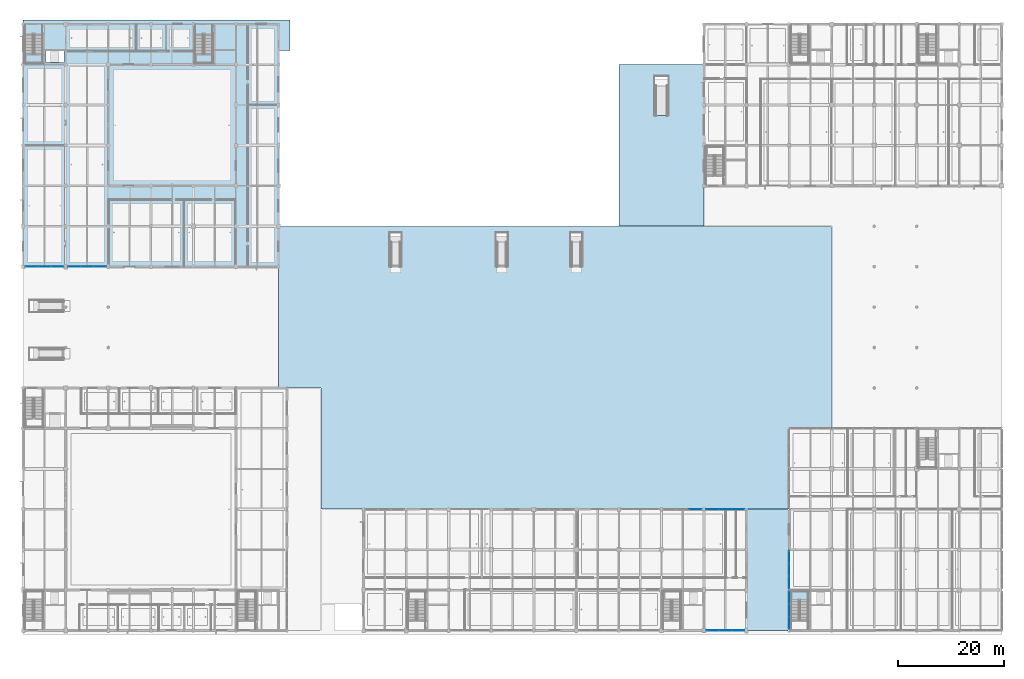
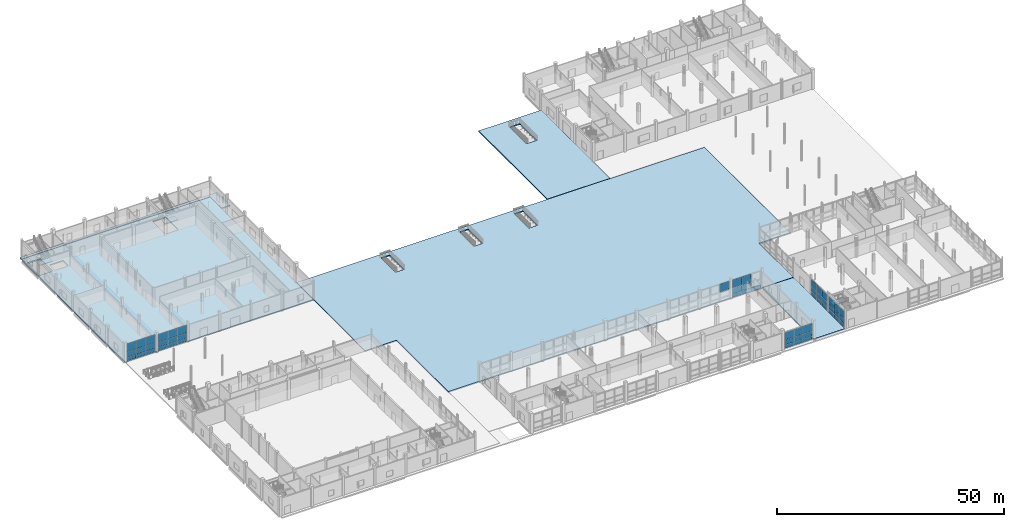
# One storey, part 51 of 126: 53 plates, 8 slabs, 10 elements without a shape of their own.
"""IFC4 building model written with IfcOpenShell, lengths in metres."""

import ifcopenshell
import ifcopenshell.guid

model = None  # the IFC model being written
_history = None  # IfcOwnerHistory: only IFC2X3 demands one
_inside = {}  # id of a spatial element -> (the spatial element, [elements in it])
_under = {}  # id of a project, library or spatial element -> (it, [spatial elements below it])
_declared = {}  # id of a project -> (the project, [libraries it declares])
_typed = {}  # id of a type object -> (the type object, [elements of that type])
_made_of = {}  # id of a material, layer set ... -> (it, [elements and type objects made of it])


def new_model(schema):
    """Start an empty IFC model of exactly this schema.

    Asked for "IFC4X3", IfcOpenShell would pick the latest addendum, in which some entities
    have other attributes; the version numbers below select the first issue.
    IFC2X3 requires an IfcOwnerHistory on every rooted entity: one is made here for all.
    """
    global model, _history
    if schema == "IFC4X3":
        model = ifcopenshell.file(schema_version=(4, 3, 0, 0))
    else:
        model = ifcopenshell.file(schema=schema)
    _inside.clear()
    _under.clear()
    _declared.clear()
    _typed.clear()
    _made_of.clear()
    _history = None
    if model.schema == "IFC2X3":
        org = make("IfcOrganization", Name="unknown")
        user = make(
            "IfcPersonAndOrganization",
            ThePerson=make("IfcPerson", FamilyName="unknown"),
            TheOrganization=org,
        )
        app = make(
            "IfcApplication",
            ApplicationDeveloper=org,
            Version="unknown",
            ApplicationFullName="unknown",
            ApplicationIdentifier="unknown",
        )
        _history = make(
            "IfcOwnerHistory",
            OwningUser=user,
            OwningApplication=app,
            ChangeAction="ADDED",
            CreationDate=0,
        )
    return model


def make(cls, **values):
    """One entity of the class cls with the attributes given. An attribute that is None is left unset."""
    return model.create_entity(
        cls, **{name: value for name, value in values.items() if value is not None}
    )


def rooted(cls, **values):
    """An entity with a GlobalId (a new one), such as an element, a storey or a relation."""
    return make(cls, GlobalId=ifcopenshell.guid.new(), OwnerHistory=_history, **values)


def si_unit(unit_type, name, prefix=None):
    """IfcSIUnit, for example si_unit("LENGTHUNIT", "METRE", prefix="MILLI")."""
    return make("IfcSIUnit", UnitType=unit_type, Prefix=prefix, Name=name)


def assignment(units):
    """IfcUnitAssignment: the units of a project."""
    return None if units is None else make("IfcUnitAssignment", Units=units)


def point(xyz):
    """IfcCartesianPoint."""
    return None if xyz is None else make("IfcCartesianPoint", Coordinates=xyz)


def direction(xyz):
    """IfcDirection."""
    return None if xyz is None else make("IfcDirection", DirectionRatios=xyz)


def frame(location, z_axis=None, x_axis=None):
    """IfcAxis2Placement3D, a coordinate frame: its origin and axes. An axis left out is left unset."""
    return make(
        "IfcAxis2Placement3D",
        Location=point(location),
        Axis=direction(z_axis),
        RefDirection=direction(x_axis),
    )


def frame_2d(location, x_axis=None):
    """IfcAxis2Placement2D, a coordinate frame in the plane: its origin and x axis."""
    return make(
        "IfcAxis2Placement2D", Location=point(location), RefDirection=direction(x_axis)
    )


def origin():
    """The frame at (0, 0, 0) with its axes left unset."""
    return frame((0.0, 0.0, 0.0))


def origin_2d():
    """The frame at (0, 0) in the plane with its x axis left unset."""
    return frame_2d((0.0, 0.0))


def place(relative_to, where):
    """IfcLocalPlacement: puts the frame where relative to a parent placement (None: the world)."""
    return make(
        "IfcLocalPlacement", PlacementRelTo=relative_to, RelativePlacement=where
    )


def context(
    kind, dimensions, precision=None, world=None, true_north=None, identifier=None
):
    """IfcGeometricRepresentationContext, for example the 3D "Model" context."""
    return make(
        "IfcGeometricRepresentationContext",
        ContextIdentifier=identifier,
        ContextType=kind,
        CoordinateSpaceDimension=dimensions,
        Precision=precision,
        WorldCoordinateSystem=world,
        TrueNorth=true_north,
    )


def subcontext(parent, identifier, kind, view, scale=None):
    """IfcGeometricRepresentationSubContext, for example "Body" below "Model"."""
    return make(
        "IfcGeometricRepresentationSubContext",
        ContextIdentifier=identifier,
        ContextType=kind,
        ParentContext=parent,
        TargetScale=scale,
        TargetView=view,
    )


def project(units=None, contexts=None):
    """IfcProject with its units and contexts."""
    return rooted(
        "IfcProject",
        Name="project",
        RepresentationContexts=contexts,
        UnitsInContext=assignment(units),
    )


def spatial(cls, under=None, at=None, **own):
    """A site, building, storey or space (cls), placed at a placement, below another one or the project."""
    s = rooted(cls, ObjectPlacement=at, **own)
    if under is not None:
        _under.setdefault(under.id(), (under, []))[1].append(s)
    return s


def polyline(points):
    """IfcPolyline through the points."""
    return make("IfcPolyline", Points=[point(p) for p in points])


def profile(cls, at=None, kind="AREA", **sizes):
    """A parametric profile (cls). Its sizes go by their IFC names, for example OverallWidth=200.0."""
    return make(cls, ProfileType=kind, Position=at, **sizes)


def rectangle(**sizes):
    """IfcRectangleProfileDef."""
    return profile("IfcRectangleProfileDef", **sizes)


def outline(outer, holes=None, kind="AREA"):
    """IfcArbitraryClosedProfileDef: a profile drawn as a closed curve; with holes, ...WithVoids."""
    if holes is None:
        return make("IfcArbitraryClosedProfileDef", ProfileType=kind, OuterCurve=outer)
    return make(
        "IfcArbitraryProfileDefWithVoids",
        ProfileType=kind,
        OuterCurve=outer,
        InnerCurves=holes,
    )


def extrude(swept, where, along, depth):
    """IfcExtrudedAreaSolid: the profile swept, set in the frame where, extruded along a direction by depth."""
    return make(
        "IfcExtrudedAreaSolid",
        SweptArea=swept,
        Position=where,
        ExtrudedDirection=direction(along),
        Depth=depth,
    )


def shape(context_of_items, identifier, shape_type, items):
    """IfcShapeRepresentation: the items that make up one representation, for example the "Body"."""
    return make(
        "IfcShapeRepresentation",
        ContextOfItems=context_of_items,
        RepresentationIdentifier=identifier,
        RepresentationType=shape_type,
        Items=items,
    )


def material(Name=None, Category=None):
    """IfcMaterial."""
    return make("IfcMaterial", Name=Name, Category=Category)


def layer(
    of_material, thickness, ventilated=None, Name=None, Category=None, Priority=None
):
    """IfcMaterialLayer: one layer of a wall or slab, of a material (None: an air gap)."""
    return make(
        "IfcMaterialLayer",
        Material=of_material,
        LayerThickness=thickness,
        IsVentilated=ventilated,
        Name=Name,
        Category=Category,
        Priority=Priority,
    )


def layer_set(layers, Name=None):
    """IfcMaterialLayerSet."""
    return make("IfcMaterialLayerSet", MaterialLayers=layers, LayerSetName=Name)


def made_of(thing, what):
    """Note that an element or type object is made of a material, layer set ...; save() writes the relation."""
    if what is not None:
        _made_of.setdefault(what.id(), (what, []))[1].append(thing)
    return thing


def type_object(cls, material=None, **own):
    """A type object (cls), such as IfcWallType, which elements share."""
    return made_of(rooted(cls, **own), material)


def element(
    cls,
    number,
    at=None,
    inside=None,
    cuts=None,
    type_object=None,
    material=None,
    context=None,
    identifier="Body",
    shape_type=None,
    held_by="IfcProductDefinitionShape",
    body=None,
    shapes=None,
    **own,
):
    """One element of the class cls, such as IfcWall. Its Tag is "e" and its number.

    at: its placement. inside: the storey or other place that contains it. cuts: it is an
    opening in that element (IfcRelVoidsElement). A single representation is given by context,
    identifier, shape_type and body (its items); several are given by shapes. held_by: the class
    of the entity that holds the representations. save() writes the other relations.
    """
    e = rooted(cls, Tag="e%d" % number, ObjectPlacement=at, **own)
    if body is not None:
        shapes = [shape(context, identifier, shape_type, body)]
    if shapes is not None:
        e.Representation = make(held_by, Representations=shapes)
    if inside is not None:
        _inside.setdefault(inside.id(), (inside, []))[1].append(e)
    if cuts is not None:
        rooted(
            "IfcRelVoidsElement", RelatingBuildingElement=cuts, RelatedOpeningElement=e
        )
    if type_object is not None:
        _typed.setdefault(type_object.id(), (type_object, []))[1].append(e)
    return made_of(e, material)


def aggregate(whole, parts):
    """IfcRelAggregates: a whole, such as a stair, and the parts it consists of."""
    return rooted("IfcRelAggregates", RelatingObject=whole, RelatedObjects=parts)


def save(model, path):
    """Write the relations noted so far, then the file.

    IfcRelAggregates (storeys below a building ...), IfcRelContainedInSpatialStructure (elements
    in a storey), IfcRelDefinesByType, IfcRelAssociatesMaterial and IfcRelDeclares: one each for
    every whole, place, type object, material and project.
    """
    for whole, parts in _under.values():
        aggregate(whole, parts)
    for where, things in _inside.values():
        rooted(
            "IfcRelContainedInSpatialStructure",
            RelatedElements=things,
            RelatingStructure=where,
        )
    for kind, things in _typed.values():
        rooted("IfcRelDefinesByType", RelatedObjects=things, RelatingType=kind)
    for what, things in _made_of.values():
        rooted("IfcRelAssociatesMaterial", RelatedObjects=things, RelatingMaterial=what)
    for by, libraries in _declared.values():
        rooted("IfcRelDeclares", RelatingContext=by, RelatedDefinitions=libraries)
    model.write(path)


model = new_model("IFC4")

# Units and contexts
model_context = context("Model", 3, precision=1e-05, world=origin(), true_north=direction((0.0, 1.0)))
body_context = subcontext(model_context, "Body", "Model", "MODEL_VIEW")
ifc_project = project(units=[si_unit("LENGTHUNIT", "METRE"), si_unit("AREAUNIT", "SQUARE_METRE"), si_unit("VOLUMEUNIT", "CUBIC_METRE"), si_unit("PLANEANGLEUNIT", "RADIAN"), si_unit("MASSUNIT", "GRAM", prefix="KILO")], contexts=[model_context])

# Site, building, storey
site_placement = place(None, origin())
site = spatial("IfcSite", under=ifc_project, at=site_placement, CompositionType="ELEMENT")
building_placement = place(site_placement, origin())
building = spatial("IfcBuilding", under=site, at=building_placement, Name="Khelvaren Railside Concert Hall", CompositionType="ELEMENT")
storey_placement = place(building_placement, origin())
storey = spatial("IfcBuildingStorey", under=building, at=storey_placement, Name="L00", CompositionType="ELEMENT", Elevation=0.0)

# Curtain wall, plates
ifc_material_1 = material(Name="Triple-glazed solar-control glass", Category="glass")
curtain_wall_type_1 = type_object("IfcCurtainWallType", Name="CW80", PredefinedType="USERDEFINED", material=ifc_material_1)
curtain_wall_1_placement = place(storey_placement, origin())
curtain_wall_1 = element("IfcCurtainWall", 1, at=curtain_wall_1_placement, inside=storey, type_object=curtain_wall_type_1, Name="Unitised Curtain Wall CW-V2-L00-W-0", ObjectType="UNITISED CURTAIN WALL", PredefinedType="USERDEFINED")
ifc_layer_1 = layer(ifc_material_1, 0.035888671875)
ifc_layer_set_1 = layer_set([ifc_layer_1], Name="Triple-glazed solar-control glass")
plate_type = type_object("IfcPlateType", Name="CWP53", PredefinedType="CURTAIN_PANEL", material=ifc_layer_set_1)
plate_1_placement = place(storey_placement, frame((144.0, 1.488037109375, 0.074951171875), z_axis=(0.0, 0.0, 1.0), x_axis=(0.0, 1.0, 0.0)))
plate_1 = element("IfcPlate", 2, at=plate_1_placement, type_object=plate_type, Name="CW80 panel 1.1", PredefinedType="CURTAIN_PANEL", context=body_context, shape_type="SweptSolid", body=[
    extrude(rectangle(XDim=2.230712890625, YDim=0.035888671875, at=origin_2d()), origin(), (0.0, 0.0, 1.0), 0.83740234375),
])
plate_2_placement = place(storey_placement, frame((144.0, 1.488037109375, 0.9873046875), z_axis=(0.0, 0.0, 1.0), x_axis=(0.0, 1.0, 0.0)))
plate_2 = element("IfcPlate", 3, at=plate_2_placement, type_object=plate_type, Name="CW80 panel 1.2", PredefinedType="CURTAIN_PANEL", context=body_context, shape_type="SweptSolid", body=[
    extrude(rectangle(XDim=2.230712890625, YDim=0.035888671875, at=origin_2d()), origin(), (0.0, 0.0, 1.0), 1.309814453125),
])
plate_3_placement = place(storey_placement, frame((144.0, 1.488037109375, 2.3720703125), z_axis=(0.0, 0.0, 1.0), x_axis=(0.0, 1.0, 0.0)))
plate_3 = element("IfcPlate", 4, at=plate_3_placement, type_object=plate_type, Name="CW80 panel 1.3", PredefinedType="CURTAIN_PANEL", context=body_context, shape_type="SweptSolid", body=[
    extrude(rectangle(XDim=2.230712890625, YDim=0.035888671875, at=origin_2d()), origin(), (0.0, 0.0, 1.0), 2.042724609375),
])
plate_4_placement = place(storey_placement, frame((144.0, 3.8125, 0.074951171875), z_axis=(0.0, 0.0, 1.0), x_axis=(0.0, 1.0, 0.0)))
plate_4 = element("IfcPlate", 5, at=plate_4_placement, type_object=plate_type, Name="CW80 panel 2.1", PredefinedType="CURTAIN_PANEL", context=body_context, shape_type="SweptSolid", body=[
    extrude(rectangle(XDim=2.268310546875, YDim=0.035888671875, at=origin_2d()), origin(), (0.0, 0.0, 1.0), 0.83740234375),
])
plate_5_placement = place(storey_placement, frame((144.0, 3.8125, 0.9873046875), z_axis=(0.0, 0.0, 1.0), x_axis=(0.0, 1.0, 0.0)))
plate_5 = element("IfcPlate", 6, at=plate_5_placement, type_object=plate_type, Name="CW80 panel 2.2", PredefinedType="CURTAIN_PANEL", context=body_context, shape_type="SweptSolid", body=[
    extrude(rectangle(XDim=2.268310546875, YDim=0.035888671875, at=origin_2d()), origin(), (0.0, 0.0, 1.0), 1.309814453125),
])
plate_6_placement = place(storey_placement, frame((144.0, 3.8125, 2.3720703125), z_axis=(0.0, 0.0, 1.0), x_axis=(0.0, 1.0, 0.0)))
plate_6 = element("IfcPlate", 7, at=plate_6_placement, type_object=plate_type, Name="CW80 panel 2.3", PredefinedType="CURTAIN_PANEL", context=body_context, shape_type="SweptSolid", body=[
    extrude(rectangle(XDim=2.268310546875, YDim=0.035888671875, at=origin_2d()), origin(), (0.0, 0.0, 1.0), 2.042724609375),
])
plate_7_placement = place(storey_placement, frame((144.0, 6.136962890625, 0.074951171875), z_axis=(0.0, 0.0, 1.0), x_axis=(0.0, 1.0, 0.0)))
plate_7 = element("IfcPlate", 8, at=plate_7_placement, type_object=plate_type, Name="CW80 panel 3.1", PredefinedType="CURTAIN_PANEL", context=body_context, shape_type="SweptSolid", body=[
    extrude(rectangle(XDim=2.230712890625, YDim=0.035888671875, at=origin_2d()), origin(), (0.0, 0.0, 1.0), 0.83740234375),
])
plate_8_placement = place(storey_placement, frame((144.0, 6.136962890625, 0.9873046875), z_axis=(0.0, 0.0, 1.0), x_axis=(0.0, 1.0, 0.0)))
plate_8 = element("IfcPlate", 9, at=plate_8_placement, type_object=plate_type, Name="CW80 panel 3.2", PredefinedType="CURTAIN_PANEL", context=body_context, shape_type="SweptSolid", body=[
    extrude(rectangle(XDim=2.230712890625, YDim=0.035888671875, at=origin_2d()), origin(), (0.0, 0.0, 1.0), 1.309814453125),
])
plate_9_placement = place(storey_placement, frame((144.0, 6.136962890625, 2.3720703125), z_axis=(0.0, 0.0, 1.0), x_axis=(0.0, 1.0, 0.0)))
plate_9 = element("IfcPlate", 10, at=plate_9_placement, type_object=plate_type, Name="CW80 panel 3.3", PredefinedType="CURTAIN_PANEL", context=body_context, shape_type="SweptSolid", body=[
    extrude(rectangle(XDim=2.230712890625, YDim=0.035888671875, at=origin_2d()), origin(), (0.0, 0.0, 1.0), 2.042724609375),
])
aggregate(curtain_wall_1, [plate_1, plate_2, plate_3, plate_4, plate_5, plate_6, plate_7, plate_8, plate_9])

curtain_wall_type_2 = type_object("IfcCurtainWallType", Name="CW41", PredefinedType="USERDEFINED", material=ifc_material_1)
curtain_wall_2_placement = place(storey_placement, origin())
curtain_wall_2 = element("IfcCurtainWall", 11, at=curtain_wall_2_placement, inside=storey, type_object=curtain_wall_type_2, Name="Unitised Curtain Wall CW-V2-L00-W-8", ObjectType="UNITISED CURTAIN WALL", PredefinedType="USERDEFINED")
plate_10_placement = place(storey_placement, frame((144.0, 9.0703125, 0.074951171875), z_axis=(0.0, 0.0, 1.0), x_axis=(0.0, 1.0, 0.0)))
plate_10 = element("IfcPlate", 12, at=plate_10_placement, type_object=plate_type, Name="CW41 panel 1.1", PredefinedType="CURTAIN_PANEL", context=body_context, shape_type="SweptSolid", body=[
    extrude(rectangle(XDim=2.245849609375, YDim=0.035888671875, at=origin_2d()), origin(), (0.0, 0.0, 1.0), 0.83740234375),
])
plate_11_placement = place(storey_placement, frame((144.0, 9.0703125, 0.987548828125), z_axis=(0.0, 0.0, 1.0), x_axis=(0.0, 1.0, 0.0)))
plate_11 = element("IfcPlate", 13, at=plate_11_placement, type_object=plate_type, Name="CW41 panel 1.2", PredefinedType="CURTAIN_PANEL", context=body_context, shape_type="SweptSolid", body=[
    extrude(rectangle(XDim=2.245849609375, YDim=0.035888671875, at=origin_2d()), origin(), (0.0, 0.0, 1.0), 1.28369140625),
])
plate_12_placement = place(storey_placement, frame((144.0, 9.0703125, 2.34619140625), z_axis=(0.0, 0.0, 1.0), x_axis=(0.0, 1.0, 0.0)))
plate_12 = element("IfcPlate", 14, at=plate_12_placement, type_object=plate_type, Name="CW41 panel 1.3", PredefinedType="CURTAIN_PANEL", context=body_context, shape_type="SweptSolid", body=[
    extrude(rectangle(XDim=2.245849609375, YDim=0.035888671875, at=origin_2d()), origin(), (0.0, 0.0, 1.0), 2.018798828125),
])
plate_13_placement = place(storey_placement, frame((144.0, 11.409912109375, 0.074951171875), z_axis=(0.0, 0.0, 1.0), x_axis=(0.0, 1.0, 0.0)))
plate_13 = element("IfcPlate", 15, at=plate_13_placement, type_object=plate_type, Name="CW41 panel 2.1", PredefinedType="CURTAIN_PANEL", context=body_context, shape_type="SweptSolid", body=[
    extrude(rectangle(XDim=2.283447265625, YDim=0.035888671875, at=origin_2d()), origin(), (0.0, 0.0, 1.0), 0.83740234375),
])
plate_14_placement = place(storey_placement, frame((144.0, 11.409912109375, 0.987548828125), z_axis=(0.0, 0.0, 1.0), x_axis=(0.0, 1.0, 0.0)))
plate_14 = element("IfcPlate", 16, at=plate_14_placement, type_object=plate_type, Name="CW41 panel 2.2", PredefinedType="CURTAIN_PANEL", context=body_context, shape_type="SweptSolid", body=[
    extrude(rectangle(XDim=2.283447265625, YDim=0.035888671875, at=origin_2d()), origin(), (0.0, 0.0, 1.0), 1.28369140625),
])
plate_15_placement = place(storey_placement, frame((144.0, 11.409912109375, 2.34619140625), z_axis=(0.0, 0.0, 1.0), x_axis=(0.0, 1.0, 0.0)))
plate_15 = element("IfcPlate", 17, at=plate_15_placement, type_object=plate_type, Name="CW41 panel 2.3", PredefinedType="CURTAIN_PANEL", context=body_context, shape_type="SweptSolid", body=[
    extrude(rectangle(XDim=2.283447265625, YDim=0.035888671875, at=origin_2d()), origin(), (0.0, 0.0, 1.0), 2.018798828125),
])
plate_16_placement = place(storey_placement, frame((144.0, 13.74951171875, 0.074951171875), z_axis=(0.0, 0.0, 1.0), x_axis=(0.0, 1.0, 0.0)))
plate_16 = element("IfcPlate", 18, at=plate_16_placement, type_object=plate_type, Name="CW41 panel 3.1", PredefinedType="CURTAIN_PANEL", context=body_context, shape_type="SweptSolid", body=[
    extrude(rectangle(XDim=2.245849609375, YDim=0.035888671875, at=origin_2d()), origin(), (0.0, 0.0, 1.0), 0.83740234375),
])
plate_17_placement = place(storey_placement, frame((144.0, 13.74951171875, 0.987548828125), z_axis=(0.0, 0.0, 1.0), x_axis=(0.0, 1.0, 0.0)))
plate_17 = element("IfcPlate", 19, at=plate_17_placement, type_object=plate_type, Name="CW41 panel 3.2", PredefinedType="CURTAIN_PANEL", context=body_context, shape_type="SweptSolid", body=[
    extrude(rectangle(XDim=2.245849609375, YDim=0.035888671875, at=origin_2d()), origin(), (0.0, 0.0, 1.0), 1.28369140625),
])
plate_18_placement = place(storey_placement, frame((144.0, 13.74951171875, 2.34619140625), z_axis=(0.0, 0.0, 1.0), x_axis=(0.0, 1.0, 0.0)))
plate_18 = element("IfcPlate", 20, at=plate_18_placement, type_object=plate_type, Name="CW41 panel 3.3", PredefinedType="CURTAIN_PANEL", context=body_context, shape_type="SweptSolid", body=[
    extrude(rectangle(XDim=2.245849609375, YDim=0.035888671875, at=origin_2d()), origin(), (0.0, 0.0, 1.0), 2.018798828125),
])
aggregate(curtain_wall_2, [plate_10, plate_11, plate_12, plate_13, plate_14, plate_15, plate_16, plate_17, plate_18])

curtain_wall_3_placement = place(storey_placement, origin())
curtain_wall_3 = element("IfcCurtainWall", 21, at=curtain_wall_3_placement, inside=storey, type_object=curtain_wall_type_2, Name="Unitised Curtain Wall CW-V3-L00-S-128", ObjectType="UNITISED CURTAIN WALL", PredefinedType="USERDEFINED")
plate_19_placement = place(storey_placement, frame((134.407958984375, 0.0, 0.074951171875), z_axis=(0.0, 0.0, 1.0), x_axis=(-1.0, 0.0, 0.0)))
plate_19 = element("IfcPlate", 22, at=plate_19_placement, type_object=plate_type, Name="CW41 panel 1.1", PredefinedType="CURTAIN_PANEL", context=body_context, shape_type="SweptSolid", body=[
    extrude(rectangle(XDim=2.2890625, YDim=0.035888671875, at=origin_2d()), origin(), (0.0, 0.0, 1.0), 0.83740234375),
])
plate_20_placement = place(storey_placement, frame((134.407958984375, 0.0, 0.987548828125), z_axis=(0.0, 0.0, 1.0), x_axis=(-1.0, 0.0, 0.0)))
plate_20 = element("IfcPlate", 23, at=plate_20_placement, type_object=plate_type, Name="CW41 panel 1.2", PredefinedType="CURTAIN_PANEL", context=body_context, shape_type="SweptSolid", body=[
    extrude(rectangle(XDim=2.2890625, YDim=0.035888671875, at=origin_2d()), origin(), (0.0, 0.0, 1.0), 1.28369140625),
])
plate_21_placement = place(storey_placement, frame((134.407958984375, 0.0, 2.34619140625), z_axis=(0.0, 0.0, 1.0), x_axis=(-1.0, 0.0, 0.0)))
plate_21 = element("IfcPlate", 24, at=plate_21_placement, type_object=plate_type, Name="CW41 panel 1.3", PredefinedType="CURTAIN_PANEL", context=body_context, shape_type="SweptSolid", body=[
    extrude(rectangle(XDim=2.2890625, YDim=0.035888671875, at=origin_2d()), origin(), (0.0, 0.0, 1.0), 2.018798828125),
])
plate_22_placement = place(storey_placement, frame((132.02490234375, 0.0, 0.074951171875), z_axis=(0.0, 0.0, 1.0), x_axis=(-1.0, 0.0, 0.0)))
plate_22 = element("IfcPlate", 25, at=plate_22_placement, type_object=plate_type, Name="CW41 panel 2.1", PredefinedType="CURTAIN_PANEL", context=body_context, shape_type="SweptSolid", body=[
    extrude(rectangle(XDim=2.32666015625, YDim=0.035888671875, at=origin_2d()), origin(), (0.0, 0.0, 1.0), 0.83740234375),
])
plate_23_placement = place(storey_placement, frame((132.02490234375, 0.0, 0.987548828125), z_axis=(0.0, 0.0, 1.0), x_axis=(-1.0, 0.0, 0.0)))
plate_23 = element("IfcPlate", 26, at=plate_23_placement, type_object=plate_type, Name="CW41 panel 2.2", PredefinedType="CURTAIN_PANEL", context=body_context, shape_type="SweptSolid", body=[
    extrude(rectangle(XDim=2.32666015625, YDim=0.035888671875, at=origin_2d()), origin(), (0.0, 0.0, 1.0), 1.28369140625),
])
plate_24_placement = place(storey_placement, frame((132.02490234375, 0.0, 2.34619140625), z_axis=(0.0, 0.0, 1.0), x_axis=(-1.0, 0.0, 0.0)))
plate_24 = element("IfcPlate", 27, at=plate_24_placement, type_object=plate_type, Name="CW41 panel 2.3", PredefinedType="CURTAIN_PANEL", context=body_context, shape_type="SweptSolid", body=[
    extrude(rectangle(XDim=2.32666015625, YDim=0.035888671875, at=origin_2d()), origin(), (0.0, 0.0, 1.0), 2.018798828125),
])
plate_25_placement = place(storey_placement, frame((129.64208984375, 0.0, 0.074951171875), z_axis=(0.0, 0.0, 1.0), x_axis=(-1.0, 0.0, 0.0)))
plate_25 = element("IfcPlate", 28, at=plate_25_placement, type_object=plate_type, Name="CW41 panel 3.1", PredefinedType="CURTAIN_PANEL", context=body_context, shape_type="SweptSolid", body=[
    extrude(rectangle(XDim=2.2890625, YDim=0.035888671875, at=origin_2d()), origin(), (0.0, 0.0, 1.0), 0.83740234375),
])
plate_26_placement = place(storey_placement, frame((129.64208984375, 0.0, 0.987548828125), z_axis=(0.0, 0.0, 1.0), x_axis=(-1.0, 0.0, 0.0)))
plate_26 = element("IfcPlate", 29, at=plate_26_placement, type_object=plate_type, Name="CW41 panel 3.2", PredefinedType="CURTAIN_PANEL", context=body_context, shape_type="SweptSolid", body=[
    extrude(rectangle(XDim=2.2890625, YDim=0.035888671875, at=origin_2d()), origin(), (0.0, 0.0, 1.0), 1.28369140625),
])
plate_27_placement = place(storey_placement, frame((129.64208984375, 0.0, 2.34619140625), z_axis=(0.0, 0.0, 1.0), x_axis=(-1.0, 0.0, 0.0)))
plate_27 = element("IfcPlate", 30, at=plate_27_placement, type_object=plate_type, Name="CW41 panel 3.3", PredefinedType="CURTAIN_PANEL", context=body_context, shape_type="SweptSolid", body=[
    extrude(rectangle(XDim=2.2890625, YDim=0.035888671875, at=origin_2d()), origin(), (0.0, 0.0, 1.0), 2.018798828125),
])
aggregate(curtain_wall_3, [plate_19, plate_20, plate_21, plate_22, plate_23, plate_24, plate_25, plate_26, plate_27])

# Curtain wall, plate
curtain_wall_type_3 = type_object("IfcCurtainWallType", Name="CW88", PredefinedType="USERDEFINED", material=ifc_material_1)
curtain_wall_4_placement = place(storey_placement, origin())
curtain_wall_4 = element("IfcCurtainWall", 31, at=curtain_wall_4_placement, inside=storey, type_object=curtain_wall_type_3, Name="Unitised Curtain Wall CW-V3-L00-N-120", ObjectType="UNITISED CURTAIN WALL", PredefinedType="USERDEFINED")
plate_28_placement = place(storey_placement, frame((126.391357421875, 22.800048828125, 2.533447265625), z_axis=(0.0, 0.0, 1.0), x_axis=(1.0, 0.0, 0.0)))
plate_28 = element("IfcPlate", 32, at=plate_28_placement, type_object=plate_type, Name="CW88 panel 3.3", PredefinedType="CURTAIN_PANEL", context=body_context, shape_type="SweptSolid", body=[
    extrude(rectangle(XDim=2.322509765625, YDim=0.035888671875, at=origin_2d()), origin(), (0.0, 0.0, 1.0), 2.19140625),
])
aggregate(curtain_wall_4, [plate_28])

# Curtain wall, plates
curtain_wall_type_4 = type_object("IfcCurtainWallType", Name="CW14", PredefinedType="USERDEFINED", material=ifc_material_1)
curtain_wall_5_placement = place(storey_placement, origin())
curtain_wall_5 = element("IfcCurtainWall", 33, at=curtain_wall_5_placement, inside=storey, type_object=curtain_wall_type_4, Name="Unitised Curtain Wall CW-V3-L00-N-128", ObjectType="UNITISED CURTAIN WALL", PredefinedType="USERDEFINED")
plate_29_placement = place(storey_placement, frame((129.608642578125, 22.800048828125, 0.074951171875), z_axis=(0.0, 0.0, 1.0), x_axis=(1.0, 0.0, 0.0)))
plate_29 = element("IfcPlate", 34, at=plate_29_placement, type_object=plate_type, Name="CW14 panel 1.1", PredefinedType="CURTAIN_PANEL", context=body_context, shape_type="SweptSolid", body=[
    extrude(rectangle(XDim=2.322509765625, YDim=0.035888671875, at=origin_2d()), origin(), (0.0, 0.0, 1.0), 0.83740234375),
])
plate_30_placement = place(storey_placement, frame((129.608642578125, 22.800048828125, 0.9873046875), z_axis=(0.0, 0.0, 1.0), x_axis=(1.0, 0.0, 0.0)))
plate_30 = element("IfcPlate", 35, at=plate_30_placement, type_object=plate_type, Name="CW14 panel 1.2", PredefinedType="CURTAIN_PANEL", context=body_context, shape_type="SweptSolid", body=[
    extrude(rectangle(XDim=2.322509765625, YDim=0.035888671875, at=origin_2d()), origin(), (0.0, 0.0, 1.0), 1.470947265625),
])
plate_31_placement = place(storey_placement, frame((129.608642578125, 22.800048828125, 2.533447265625), z_axis=(0.0, 0.0, 1.0), x_axis=(1.0, 0.0, 0.0)))
plate_31 = element("IfcPlate", 36, at=plate_31_placement, type_object=plate_type, Name="CW14 panel 1.3", PredefinedType="CURTAIN_PANEL", context=body_context, shape_type="SweptSolid", body=[
    extrude(rectangle(XDim=2.322509765625, YDim=0.035888671875, at=origin_2d()), origin(), (0.0, 0.0, 1.0), 2.19140625),
])
plate_32_placement = place(storey_placement, frame((132.02490234375, 22.800048828125, 0.074951171875), z_axis=(0.0, 0.0, 1.0), x_axis=(1.0, 0.0, 0.0)))
plate_32 = element("IfcPlate", 37, at=plate_32_placement, type_object=plate_type, Name="CW14 panel 2.1", PredefinedType="CURTAIN_PANEL", context=body_context, shape_type="SweptSolid", body=[
    extrude(rectangle(XDim=2.360107421875, YDim=0.035888671875, at=origin_2d()), origin(), (0.0, 0.0, 1.0), 0.83740234375),
])
plate_33_placement = place(storey_placement, frame((132.02490234375, 22.800048828125, 0.9873046875), z_axis=(0.0, 0.0, 1.0), x_axis=(1.0, 0.0, 0.0)))
plate_33 = element("IfcPlate", 38, at=plate_33_placement, type_object=plate_type, Name="CW14 panel 2.2", PredefinedType="CURTAIN_PANEL", context=body_context, shape_type="SweptSolid", body=[
    extrude(rectangle(XDim=2.360107421875, YDim=0.035888671875, at=origin_2d()), origin(), (0.0, 0.0, 1.0), 1.470947265625),
])
plate_34_placement = place(storey_placement, frame((132.02490234375, 22.800048828125, 2.533447265625), z_axis=(0.0, 0.0, 1.0), x_axis=(1.0, 0.0, 0.0)))
plate_34 = element("IfcPlate", 39, at=plate_34_placement, type_object=plate_type, Name="CW14 panel 2.3", PredefinedType="CURTAIN_PANEL", context=body_context, shape_type="SweptSolid", body=[
    extrude(rectangle(XDim=2.360107421875, YDim=0.035888671875, at=origin_2d()), origin(), (0.0, 0.0, 1.0), 2.19140625),
])
plate_35_placement = place(storey_placement, frame((134.441162109375, 22.800048828125, 0.074951171875), z_axis=(0.0, 0.0, 1.0), x_axis=(1.0, 0.0, 0.0)))
plate_35 = element("IfcPlate", 40, at=plate_35_placement, type_object=plate_type, Name="CW14 panel 3.1", PredefinedType="CURTAIN_PANEL", context=body_context, shape_type="SweptSolid", body=[
    extrude(rectangle(XDim=2.322509765625, YDim=0.035888671875, at=origin_2d()), origin(), (0.0, 0.0, 1.0), 0.83740234375),
])
aggregate(curtain_wall_5, [plate_29, plate_30, plate_31, plate_32, plate_33, plate_34, plate_35])

curtain_wall_6_placement = place(storey_placement, origin())
curtain_wall_6 = element("IfcCurtainWall", 41, at=curtain_wall_6_placement, inside=storey, type_object=curtain_wall_type_2, Name="Unitised Curtain Wall CW-V4-L00-S-0", ObjectType="UNITISED CURTAIN WALL", PredefinedType="USERDEFINED")
plate_36_placement = place(storey_placement, frame((6.407958984375, 68.39990234375, 0.074951171875), z_axis=(0.0, 0.0, 1.0), x_axis=(-1.0, 0.0, 0.0)))
plate_36 = element("IfcPlate", 42, at=plate_36_placement, type_object=plate_type, Name="CW41 panel 1.1", PredefinedType="CURTAIN_PANEL", context=body_context, shape_type="SweptSolid", body=[
    extrude(rectangle(XDim=2.2890625, YDim=0.035888671875, at=origin_2d()), origin(), (0.0, 0.0, 1.0), 0.83740234375),
])
plate_37_placement = place(storey_placement, frame((6.407958984375, 68.39990234375, 0.98779296875), z_axis=(0.0, 0.0, 1.0), x_axis=(-1.0, 0.0, 0.0)))
plate_37 = element("IfcPlate", 43, at=plate_37_placement, type_object=plate_type, Name="CW41 panel 1.2", PredefinedType="CURTAIN_PANEL", context=body_context, shape_type="SweptSolid", body=[
    extrude(rectangle(XDim=2.2890625, YDim=0.035888671875, at=origin_2d()), origin(), (0.0, 0.0, 1.0), 1.439697265625),
])
plate_38_placement = place(storey_placement, frame((6.407958984375, 68.39990234375, 2.50244140625), z_axis=(0.0, 0.0, 1.0), x_axis=(-1.0, 0.0, 0.0)))
plate_38 = element("IfcPlate", 44, at=plate_38_placement, type_object=plate_type, Name="CW41 panel 1.3", PredefinedType="CURTAIN_PANEL", context=body_context, shape_type="SweptSolid", body=[
    extrude(rectangle(XDim=2.2890625, YDim=0.035888671875, at=origin_2d()), origin(), (0.0, 0.0, 1.0), 2.16259765625),
])
plate_39_placement = place(storey_placement, frame((4.02490234375, 68.39990234375, 0.074951171875), z_axis=(0.0, 0.0, 1.0), x_axis=(-1.0, 0.0, 0.0)))
plate_39 = element("IfcPlate", 45, at=plate_39_placement, type_object=plate_type, Name="CW41 panel 2.1", PredefinedType="CURTAIN_PANEL", context=body_context, shape_type="SweptSolid", body=[
    extrude(rectangle(XDim=2.32666015625, YDim=0.035888671875, at=origin_2d()), origin(), (0.0, 0.0, 1.0), 0.83740234375),
])
plate_40_placement = place(storey_placement, frame((4.02490234375, 68.39990234375, 0.98779296875), z_axis=(0.0, 0.0, 1.0), x_axis=(-1.0, 0.0, 0.0)))
plate_40 = element("IfcPlate", 46, at=plate_40_placement, type_object=plate_type, Name="CW41 panel 2.2", PredefinedType="CURTAIN_PANEL", context=body_context, shape_type="SweptSolid", body=[
    extrude(rectangle(XDim=2.32666015625, YDim=0.035888671875, at=origin_2d()), origin(), (0.0, 0.0, 1.0), 1.439697265625),
])
plate_41_placement = place(storey_placement, frame((4.02490234375, 68.39990234375, 2.50244140625), z_axis=(0.0, 0.0, 1.0), x_axis=(-1.0, 0.0, 0.0)))
plate_41 = element("IfcPlate", 47, at=plate_41_placement, type_object=plate_type, Name="CW41 panel 2.3", PredefinedType="CURTAIN_PANEL", context=body_context, shape_type="SweptSolid", body=[
    extrude(rectangle(XDim=2.32666015625, YDim=0.035888671875, at=origin_2d()), origin(), (0.0, 0.0, 1.0), 2.16259765625),
])
plate_42_placement = place(storey_placement, frame((1.64208984375, 68.39990234375, 0.074951171875), z_axis=(0.0, 0.0, 1.0), x_axis=(-1.0, 0.0, 0.0)))
plate_42 = element("IfcPlate", 48, at=plate_42_placement, type_object=plate_type, Name="CW41 panel 3.1", PredefinedType="CURTAIN_PANEL", context=body_context, shape_type="SweptSolid", body=[
    extrude(rectangle(XDim=2.2890625, YDim=0.035888671875, at=origin_2d()), origin(), (0.0, 0.0, 1.0), 0.83740234375),
])
plate_43_placement = place(storey_placement, frame((1.64208984375, 68.39990234375, 0.98779296875), z_axis=(0.0, 0.0, 1.0), x_axis=(-1.0, 0.0, 0.0)))
plate_43 = element("IfcPlate", 49, at=plate_43_placement, type_object=plate_type, Name="CW41 panel 3.2", PredefinedType="CURTAIN_PANEL", context=body_context, shape_type="SweptSolid", body=[
    extrude(rectangle(XDim=2.2890625, YDim=0.035888671875, at=origin_2d()), origin(), (0.0, 0.0, 1.0), 1.439697265625),
])
plate_44_placement = place(storey_placement, frame((1.64208984375, 68.39990234375, 2.50244140625), z_axis=(0.0, 0.0, 1.0), x_axis=(-1.0, 0.0, 0.0)))
plate_44 = element("IfcPlate", 50, at=plate_44_placement, type_object=plate_type, Name="CW41 panel 3.3", PredefinedType="CURTAIN_PANEL", context=body_context, shape_type="SweptSolid", body=[
    extrude(rectangle(XDim=2.2890625, YDim=0.035888671875, at=origin_2d()), origin(), (0.0, 0.0, 1.0), 2.16259765625),
])
aggregate(curtain_wall_6, [plate_36, plate_37, plate_38, plate_39, plate_40, plate_41, plate_42, plate_43, plate_44])

curtain_wall_7_placement = place(storey_placement, origin())
curtain_wall_7 = element("IfcCurtainWall", 51, at=curtain_wall_7_placement, inside=storey, type_object=curtain_wall_type_3, Name="Unitised Curtain Wall CW-V4-L00-S-8", ObjectType="UNITISED CURTAIN WALL", PredefinedType="USERDEFINED")
plate_45_placement = place(storey_placement, frame((14.441162109375, 68.39990234375, 0.074951171875), z_axis=(0.0, 0.0, 1.0), x_axis=(-1.0, 0.0, 0.0)))
plate_45 = element("IfcPlate", 52, at=plate_45_placement, type_object=plate_type, Name="CW88 panel 1.1", PredefinedType="CURTAIN_PANEL", context=body_context, shape_type="SweptSolid", body=[
    extrude(rectangle(XDim=2.322509765625, YDim=0.035888671875, at=origin_2d()), origin(), (0.0, 0.0, 1.0), 0.83740234375),
])
plate_46_placement = place(storey_placement, frame((14.441162109375, 68.39990234375, 0.9873046875), z_axis=(0.0, 0.0, 1.0), x_axis=(-1.0, 0.0, 0.0)))
plate_46 = element("IfcPlate", 53, at=plate_46_placement, type_object=plate_type, Name="CW88 panel 1.2", PredefinedType="CURTAIN_PANEL", context=body_context, shape_type="SweptSolid", body=[
    extrude(rectangle(XDim=2.322509765625, YDim=0.035888671875, at=origin_2d()), origin(), (0.0, 0.0, 1.0), 1.309814453125),
])
plate_47_placement = place(storey_placement, frame((14.441162109375, 68.39990234375, 2.3720703125), z_axis=(0.0, 0.0, 1.0), x_axis=(-1.0, 0.0, 0.0)))
plate_47 = element("IfcPlate", 54, at=plate_47_placement, type_object=plate_type, Name="CW88 panel 1.3", PredefinedType="CURTAIN_PANEL", context=body_context, shape_type="SweptSolid", body=[
    extrude(rectangle(XDim=2.322509765625, YDim=0.035888671875, at=origin_2d()), origin(), (0.0, 0.0, 1.0), 2.042724609375),
])
plate_48_placement = place(storey_placement, frame((12.02490234375, 68.39990234375, 0.074951171875), z_axis=(0.0, 0.0, 1.0), x_axis=(-1.0, 0.0, 0.0)))
plate_48 = element("IfcPlate", 55, at=plate_48_placement, type_object=plate_type, Name="CW88 panel 2.1", PredefinedType="CURTAIN_PANEL", context=body_context, shape_type="SweptSolid", body=[
    extrude(rectangle(XDim=2.360107421875, YDim=0.035888671875, at=origin_2d()), origin(), (0.0, 0.0, 1.0), 0.83740234375),
])
plate_49_placement = place(storey_placement, frame((12.02490234375, 68.39990234375, 0.9873046875), z_axis=(0.0, 0.0, 1.0), x_axis=(-1.0, 0.0, 0.0)))
plate_49 = element("IfcPlate", 56, at=plate_49_placement, type_object=plate_type, Name="CW88 panel 2.2", PredefinedType="CURTAIN_PANEL", context=body_context, shape_type="SweptSolid", body=[
    extrude(rectangle(XDim=2.360107421875, YDim=0.035888671875, at=origin_2d()), origin(), (0.0, 0.0, 1.0), 1.309814453125),
])
plate_50_placement = place(storey_placement, frame((12.02490234375, 68.39990234375, 2.3720703125), z_axis=(0.0, 0.0, 1.0), x_axis=(-1.0, 0.0, 0.0)))
plate_50 = element("IfcPlate", 57, at=plate_50_placement, type_object=plate_type, Name="CW88 panel 2.3", PredefinedType="CURTAIN_PANEL", context=body_context, shape_type="SweptSolid", body=[
    extrude(rectangle(XDim=2.360107421875, YDim=0.035888671875, at=origin_2d()), origin(), (0.0, 0.0, 1.0), 2.042724609375),
])
plate_51_placement = place(storey_placement, frame((9.608642578125, 68.39990234375, 0.074951171875), z_axis=(0.0, 0.0, 1.0), x_axis=(-1.0, 0.0, 0.0)))
plate_51 = element("IfcPlate", 58, at=plate_51_placement, type_object=plate_type, Name="CW88 panel 3.1", PredefinedType="CURTAIN_PANEL", context=body_context, shape_type="SweptSolid", body=[
    extrude(rectangle(XDim=2.322509765625, YDim=0.035888671875, at=origin_2d()), origin(), (0.0, 0.0, 1.0), 0.83740234375),
])
plate_52_placement = place(storey_placement, frame((9.608642578125, 68.39990234375, 0.9873046875), z_axis=(0.0, 0.0, 1.0), x_axis=(-1.0, 0.0, 0.0)))
plate_52 = element("IfcPlate", 59, at=plate_52_placement, type_object=plate_type, Name="CW88 panel 3.2", PredefinedType="CURTAIN_PANEL", context=body_context, shape_type="SweptSolid", body=[
    extrude(rectangle(XDim=2.322509765625, YDim=0.035888671875, at=origin_2d()), origin(), (0.0, 0.0, 1.0), 1.309814453125),
])
plate_53_placement = place(storey_placement, frame((9.608642578125, 68.39990234375, 2.3720703125), z_axis=(0.0, 0.0, 1.0), x_axis=(-1.0, 0.0, 0.0)))
plate_53 = element("IfcPlate", 60, at=plate_53_placement, type_object=plate_type, Name="CW88 panel 3.3", PredefinedType="CURTAIN_PANEL", context=body_context, shape_type="SweptSolid", body=[
    extrude(rectangle(XDim=2.322509765625, YDim=0.035888671875, at=origin_2d()), origin(), (0.0, 0.0, 1.0), 2.042724609375),
])
aggregate(curtain_wall_7, [plate_45, plate_46, plate_47, plate_48, plate_49, plate_50, plate_51, plate_52, plate_53])

# Slabs
ifc_material_2 = material(Name="Concrete C40/50", Category="concrete")
ifc_layer_2 = layer(ifc_material_2, 0.320068359375)
ifc_layer_set_2 = layer_set([ifc_layer_2], Name="Concrete C40/50")
slab_type_1 = type_object("IfcSlabType", Name="FS29", PredefinedType="FLOOR", material=ifc_layer_set_2)
slab_1_placement = place(storey_placement, frame((0.0, 0.0, -0.320068359375)))
element("IfcSlab", 61, at=slab_1_placement, inside=storey, type_object=slab_type_1, Name="V4 L00 Structural Floor Slab", PredefinedType="FLOOR", context=body_context, shape_type="SweptSolid", body=[
    extrude(outline(polyline([(0.0, 68.39990234375), (48.0, 68.39990234375), (48.0, 114.0), (0.0, 114.0), (0.0, 68.39990234375)]), holes=[polyline([(0.300048828125, 112.159912109375), (0.300048828125, 106.639892578125), (3.6201171875, 106.639892578125), (3.6201171875, 112.159912109375), (0.300048828125, 112.159912109375)]), polyline([(4.25, 106.75), (7.64990234375, 106.75), (7.64990234375, 109.050048828125), (4.25, 109.050048828125), (4.25, 106.75)]), polyline([(32.300048828125, 112.159912109375), (32.300048828125, 106.639892578125), (35.6201171875, 106.639892578125), (35.6201171875, 112.159912109375), (32.300048828125, 112.159912109375)])]), origin(), (0.0, 0.0, 1.0), 0.320068359375),
])
ifc_material_3 = material(Name="Concrete C35/45", Category="concrete")
ifc_layer_3 = layer(ifc_material_3, 0.300048828125)
ifc_layer_set_3 = layer_set([ifc_layer_3], Name="Concrete C35/45")
slab_type_2 = type_object("IfcSlabType", Name="FS48", PredefinedType="FLOOR", material=ifc_layer_set_3)
slab_2_placement = place(storey_placement, frame((0.0, 0.0, -0.300048828125)))
element("IfcSlab", 62, at=slab_2_placement, inside=storey, type_object=slab_type_2, Name="Exterior Court and Service Loop Apron APRON-N", PredefinedType="FLOOR", context=body_context, shape_type="SweptSolid", body=[
    extrude(outline(polyline([(0.0, 114.02001953125), (48.02001953125, 114.02001953125), (48.02001953125, 109.0), (50.199951171875, 109.0), (50.199951171875, 114.800048828125), (184.0, 114.800048828125), (184.0, 114.02001953125), (128.0, 114.02001953125), (128.0, 114.780029296875), (0.0, 114.780029296875), (0.0, 114.02001953125)])), origin(), (0.0, 0.0, 1.0), 0.300048828125),
])
slab_3_placement = place(storey_placement, frame((0.0, 0.0, -0.300048828125)))
element("IfcSlab", 63, at=slab_3_placement, inside=storey, type_object=slab_type_2, Name="Exterior Court and Service Loop Apron APRON-COURT-E", PredefinedType="FLOOR", context=body_context, shape_type="SweptSolid", body=[
    extrude(outline(polyline([(136.27001953125, 0.02001953125), (143.72998046875, 0.02001953125), (143.97998046875, 0.27001953125), (143.97998046875, 22.550048828125), (143.72998046875, 22.800048828125), (136.27001953125, 22.800048828125), (136.02001953125, 22.550048828125), (136.02001953125, 0.27001953125), (136.27001953125, 0.02001953125)])), origin(), (0.0, 0.0, 1.0), 0.300048828125),
])
slab_4_placement = place(storey_placement, frame((0.0, 0.0, -0.300048828125)))
element("IfcSlab", 64, at=slab_4_placement, inside=storey, type_object=slab_type_2, Name="Exterior Court and Service Loop Apron APRON-COURT-MID", PredefinedType="FLOOR", context=body_context, shape_type="SweptSolid", body=[
    extrude(outline(polyline([(56.02001953125, 22.820068359375), (143.97998046875, 22.820068359375), (143.97998046875, 37.97998046875), (151.97998046875, 37.97998046875), (151.97998046875, 75.97998046875), (48.02001953125, 75.97998046875), (48.02001953125, 45.6201171875), (56.02001953125, 45.6201171875), (56.02001953125, 22.820068359375)]), holes=[polyline([(68.89990234375, 68.39990234375), (71.10009765625, 68.39990234375), (71.10009765625, 74.800048828125), (68.89990234375, 74.800048828125), (68.89990234375, 68.39990234375)]), polyline([(88.89990234375, 68.39990234375), (91.10009765625, 68.39990234375), (91.10009765625, 74.800048828125), (88.89990234375, 74.800048828125), (88.89990234375, 68.39990234375)]), polyline([(102.89990234375, 68.39990234375), (105.10009765625, 68.39990234375), (105.10009765625, 74.800048828125), (102.89990234375, 74.800048828125), (102.89990234375, 68.39990234375)])]), origin(), (0.0, 0.0, 1.0), 0.300048828125),
])
slab_5_placement = place(storey_placement, frame((0.0, 0.0, -0.300048828125)))
element("IfcSlab", 65, at=slab_5_placement, inside=storey, type_object=slab_type_2, Name="Exterior Court and Service Loop Apron APRON-DOCK-LOOP", PredefinedType="FLOOR", context=body_context, shape_type="SweptSolid", body=[
    extrude(outline(polyline([(112.02001953125, 76.02001953125), (127.97998046875, 76.02001953125), (127.97998046875, 106.3798828125), (112.02001953125, 106.3798828125), (112.02001953125, 76.02001953125)]), holes=[polyline([(118.699951171875, 96.800048828125), (121.300048828125, 96.800048828125), (121.300048828125, 104.199951171875), (118.699951171875, 104.199951171875), (118.699951171875, 96.800048828125)])]), origin(), (0.0, 0.0, 1.0), 0.300048828125),
])

# Stair, slab
stair_type = type_object("IfcStairType", Name="ST11", PredefinedType="HALF_TURN_STAIR", material=ifc_material_2)
stair_1_placement = place(storey_placement, origin())
stair_1 = element("IfcStair", 66, at=stair_1_placement, inside=storey, type_object=stair_type, Name="L00 Core Exit Stair ST-03", PredefinedType="HALF_TURN_STAIR")
ifc_layer_4 = layer(ifc_material_2, 0.199951171875)
ifc_layer_set_4 = layer_set([ifc_layer_4], Name="Concrete C40/50")
slab_type_3 = type_object("IfcSlabType", Name="LND67", PredefinedType="LANDING", material=ifc_layer_set_4)
slab_6_placement = place(storey_placement, frame((0.0, 0.0, 2.5)))
slab_6 = element("IfcSlab", 67, at=slab_6_placement, type_object=slab_type_3, Name="ST-03 landing 1", PredefinedType="LANDING", context=body_context, shape_type="SweptSolid", body=[
    extrude(outline(polyline([(147.6201171875, 5.760009765625), (147.6201171875, 7.360107421875), (144.300048828125, 7.360107421875), (144.300048828125, 5.760009765625), (147.6201171875, 5.760009765625)])), origin(), (0.0, 0.0, 1.0), 0.199951171875),
])
aggregate(stair_1, [slab_6])

stair_2_placement = place(storey_placement, origin())
stair_2 = element("IfcStair", 68, at=stair_2_placement, inside=storey, type_object=stair_type, Name="L00 Core Exit Stair ST-07", PredefinedType="HALF_TURN_STAIR")
slab_7_placement = place(storey_placement, frame((0.0, 0.0, 2.5)))
slab_7 = element("IfcSlab", 69, at=slab_7_placement, type_object=slab_type_3, Name="ST-07 landing 1", PredefinedType="LANDING", context=body_context, shape_type="SweptSolid", body=[
    extrude(outline(polyline([(0.300048828125, 108.239990234375), (0.300048828125, 106.639892578125), (3.6201171875, 106.639892578125), (3.6201171875, 108.239990234375), (0.300048828125, 108.239990234375)])), origin(), (0.0, 0.0, 1.0), 0.199951171875),
])
aggregate(stair_2, [slab_7])

stair_3_placement = place(storey_placement, origin())
stair_3 = element("IfcStair", 70, at=stair_3_placement, inside=storey, type_object=stair_type, Name="L00 Core Exit Stair ST-08", PredefinedType="HALF_TURN_STAIR")
slab_8_placement = place(storey_placement, frame((0.0, 0.0, 2.5)))
slab_8 = element("IfcSlab", 71, at=slab_8_placement, type_object=slab_type_3, Name="ST-08 landing 1", PredefinedType="LANDING", context=body_context, shape_type="SweptSolid", body=[
    extrude(outline(polyline([(32.300048828125, 108.239990234375), (32.300048828125, 106.639892578125), (35.6201171875, 106.639892578125), (35.6201171875, 108.239990234375), (32.300048828125, 108.239990234375)])), origin(), (0.0, 0.0, 1.0), 0.199951171875),
])
aggregate(stair_3, [slab_8])

save(model, "model.ifc")
